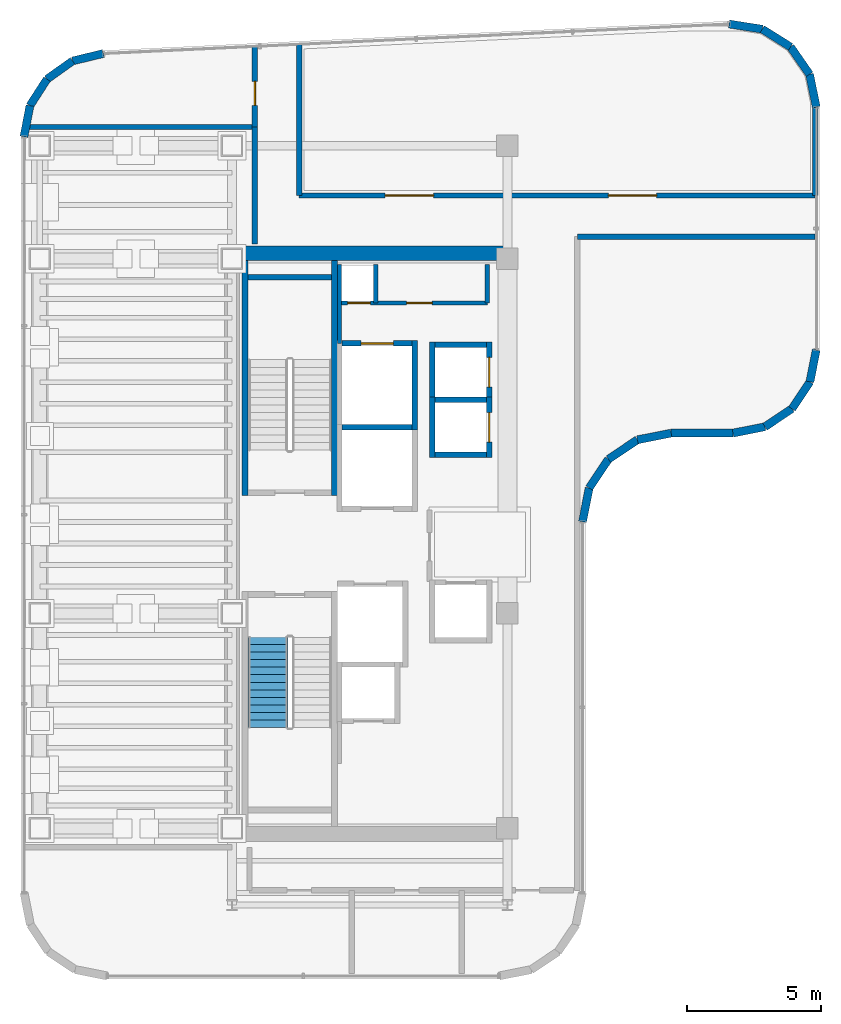
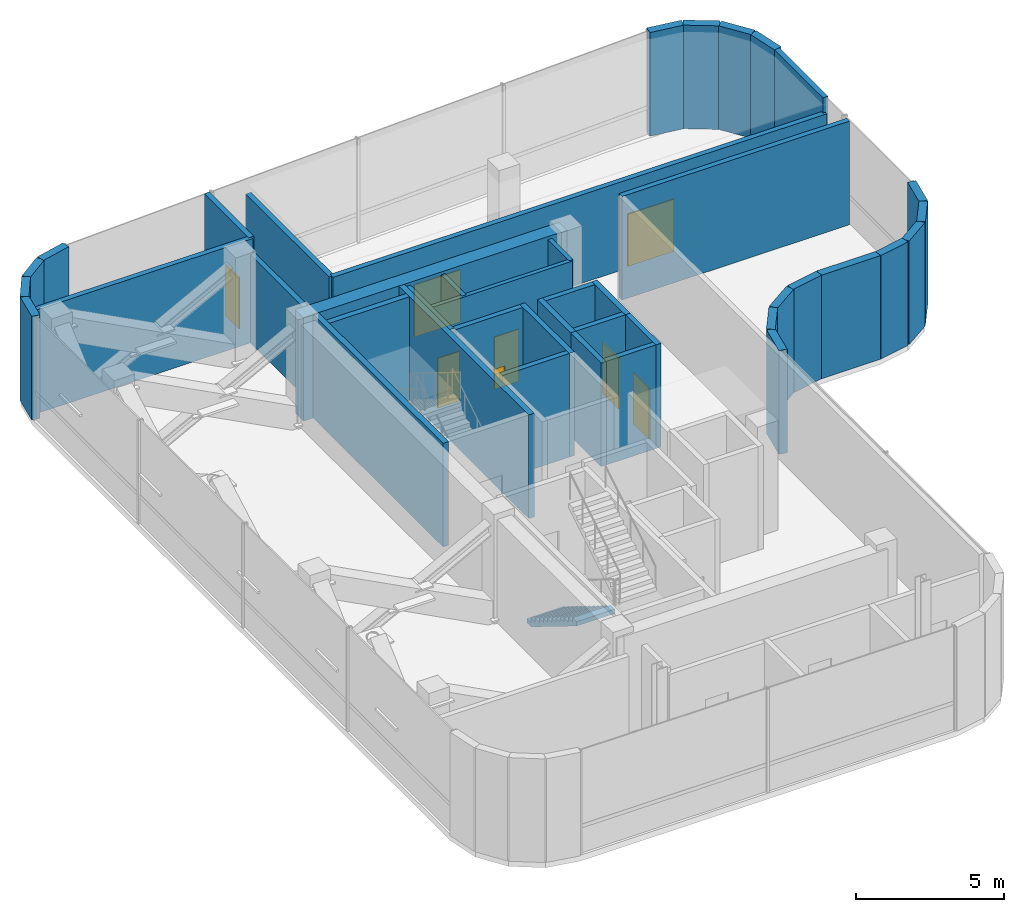
# One storey, part 17 of 19: 42 walls, 8 doors, 1 stair flight, 8 openings, 1 element without a shape of its own.
"""IFC4 building model written with IfcOpenShell, lengths in metres."""

from ifc_helpers import new_model, si_unit, direction, frame, frame_2d, origin, place, context, subcontext, project, spatial, polyline, rectangle, outline, extrude, material, layer, layer_set, type_object, element, fill, aggregate, save


model = new_model("IFC4")

# Units and contexts
model_context = context("Model", 3, precision=1e-05, world=origin(), true_north=direction((0.0, 1.0)))
body_context = subcontext(model_context, "Body", "Model", "MODEL_VIEW")
ifc_project = project(units=[si_unit("LENGTHUNIT", "METRE"), si_unit("AREAUNIT", "SQUARE_METRE"), si_unit("VOLUMEUNIT", "CUBIC_METRE"), si_unit("PLANEANGLEUNIT", "RADIAN"), si_unit("MASSUNIT", "GRAM", prefix="KILO")], contexts=[model_context])

# Site, building, storey
site_placement = place(None, origin())
site = spatial("IfcSite", under=ifc_project, at=site_placement, CompositionType="ELEMENT")
building_placement = place(site_placement, origin())
building = spatial("IfcBuilding", under=site, at=building_placement, Name="Valdorenza Pilgrim Sanctuary Tower", CompositionType="ELEMENT")
storey_placement = place(building_placement, frame((0.0, 0.0, 261.5)))
storey = spatial("IfcBuildingStorey", under=building, at=storey_placement, Name="L68", CompositionType="ELEMENT", Elevation=261.5)

# Wall
ifc_material_1 = material(Name="Acoustic twin-stud gypsum partition", Category="gypsum")
ifc_layer_1 = layer(ifc_material_1, 0.159912109375, Name="Acoustic twin-stud gypsum partition")
ifc_layer_set_1 = layer_set([ifc_layer_1], Name="Acoustic twin-stud gypsum partition")
wall_type_1 = type_object("IfcWallType", Name="WAL-COR-160", PredefinedType="PARTITIONING", material=ifc_layer_set_1)
wall_1_placement = place(storey_placement, frame((-18.64990234375, 7.449951171875, 0.0), z_axis=(0.0, 0.0, 1.0), x_axis=(0.0, 1.0, 0.0)))
element("IfcWall", 1, at=wall_1_placement, inside=storey, type_object=wall_type_1, Name="L68 Core A North Service West Wall", PredefinedType="PARTITIONING", context=body_context, shape_type="SweptSolid", body=[
    extrude(rectangle(XDim=2.929931640625, YDim=0.159912109375, at=frame_2d((1.46484375, 0.0))), origin(), (0.0, 0.0, 1.0), 4.260009765625),
])

# Wall, openings, doors
wall_2_placement = place(storey_placement, frame((-18.64990234375, 8.949951171875, 0.0), z_axis=(0.0, 0.0, 1.0), x_axis=(1.0, 0.0, 0.0)))
wall_2 = element("IfcWall", 2, at=wall_2_placement, inside=storey, type_object=wall_type_1, Name="L68 Core A North Service South Wall", PredefinedType="PARTITIONING", context=body_context, shape_type="SweptSolid", body=[
    extrude(rectangle(XDim=5.5, YDim=0.159912109375, at=frame_2d((2.75, 0.0))), origin(), (0.0, 0.0, 1.0), 4.260009765625),
])
opening_1_placement = place(wall_2_placement, frame((0.300048828125, 0.0, 0.0)))
opening_1 = element("IfcOpeningElement", 3, at=opening_1_placement, cuts=wall_2, Name="Opening DR-RS1", PredefinedType="OPENING", context=body_context, shape_type="SweptSolid", body=[
    extrude(rectangle(XDim=0.85009765625, YDim=2.050048828125, at=frame_2d((0.425048828125, 1.02490234375))), frame((0.0, 0.0947265625, 0.0), z_axis=(0.0, -1.0, 0.0), x_axis=(1.0, 0.0, 0.0)), (0.0, 0.0, 1.0), 0.189697265625),
])
opening_2_placement = place(wall_2_placement, frame((2.5, 0.0, 0.0)))
opening_2 = element("IfcOpeningElement", 4, at=opening_2_placement, cuts=wall_2, Name="Opening DR-UN1", PredefinedType="OPENING", context=body_context, shape_type="SweptSolid", body=[
    extrude(rectangle(XDim=0.949951171875, YDim=2.14990234375, at=frame_2d((0.47509765625, 1.074951171875))), frame((0.0, 0.0947265625, 0.0), z_axis=(0.0, -1.0, 0.0), x_axis=(1.0, 0.0, 0.0)), (0.0, 0.0, 1.0), 0.189697265625),
])
ifc_material_2 = material(Name="Painted galvanized steel", Category="steel")
door_type_1 = type_object("IfcDoorType", Name="DR-RSR-850", OperationType="NOTDEFINED", PredefinedType="DOOR", material=ifc_material_2)
door_1_placement = place(opening_1_placement, origin())
door_1 = element("IfcDoor", 5, at=door_1_placement, inside=storey, type_object=door_type_1, Name="L68 Core Electrical and Telecom Riser Door", OperationType="SINGLE_SWING_LEFT", OverallHeight=2.050048828125, OverallWidth=0.85009765625, PredefinedType="DOOR", context=body_context, shape_type="SweptSolid", body=[
    extrude(rectangle(XDim=0.85009765625, YDim=2.050048828125, at=frame_2d((0.425048828125, 1.02490234375))), frame((0.0, 0.02490234375, 0.0), z_axis=(0.0, -1.0, 0.0), x_axis=(1.0, 0.0, 0.0)), (0.0, 0.0, 1.0), 0.050048828125),
])
fill(opening_1, door_1)
ifc_material_3 = material(Name="Solid-core European oak timber", Category="wood")
door_type_2 = type_object("IfcDoorType", Name="DR-UNIT-950", OperationType="NOTDEFINED", PredefinedType="DOOR", material=ifc_material_3)
door_2_placement = place(opening_2_placement, origin())
door_2 = element("IfcDoor", 6, at=door_2_placement, inside=storey, type_object=door_type_2, Name="L68 Core Janitor and Maintenance Store Door", OperationType="SINGLE_SWING_RIGHT", OverallHeight=2.14990234375, OverallWidth=0.949951171875, PredefinedType="DOOR", context=body_context, shape_type="SweptSolid", body=[
    extrude(rectangle(XDim=0.949951171875, YDim=2.14990234375, at=frame_2d((0.47509765625, 1.074951171875))), frame((0.0, 0.02490234375, 0.0), z_axis=(0.0, -1.0, 0.0), x_axis=(1.0, 0.0, 0.0)), (0.0, 0.0, 1.0), 0.050048828125),
])
fill(opening_2, door_2)

# Walls
for number, where, z_axis, x_axis, name in (
    (7, (-13.14990234375, 8.949951171875, 0.0), (0.0, 0.0, 1.0), (0.0, 1.0, 0.0), "L68 Core A North Service East Wall"),
    (8, (-17.300048828125, 8.949951171875, 0.0), (0.0, 0.0, 1.0), (0.0, 1.0, 0.0), "L68 Core Electrical Riser Wall"),
):
    element("IfcWall", number, at=place(storey_placement, frame(where, z_axis=z_axis, x_axis=x_axis)), inside=storey, type_object=wall_type_1, Name=name, PredefinedType="PARTITIONING", context=body_context, shape_type="SweptSolid", body=[
        extrude(rectangle(XDim=1.429931640625, YDim=0.159912109375, at=frame_2d((0.71484375, 0.0))), origin(), (0.0, 0.0, 1.0), 4.260009765625),
    ])
ifc_material_4 = material(Name="Concrete C50/60", Category="concrete")
ifc_layer_2 = layer(ifc_material_4, 0.550048828125, Name="Concrete C50/60")
ifc_layer_set_2 = layer_set([ifc_layer_2], Name="Concrete C50/60")
wall_type_2 = type_object("IfcWallType", Name="WAL-COR-550", PredefinedType="SHEAR", material=ifc_layer_set_2)
wall_3_placement = place(storey_placement, frame((-22.64990234375, 10.800048828125, 0.0), z_axis=(0.0, 0.0, 1.0), x_axis=(1.0, 0.0, 0.0)))
element("IfcWall", 9, at=wall_3_placement, inside=storey, type_object=wall_type_2, Name="L68 Split Core A Shear Wall N", PredefinedType="SHEAR", context=body_context, shape_type="SweptSolid", body=[
    extrude(rectangle(XDim=10.25, YDim=0.550048828125, at=frame_2d((5.125, 0.0))), origin(), (0.0, 0.0, 1.0), 4.260009765625),
])
ifc_material_5 = material(Name="Honed travertine limestone", Category="masonry")
ifc_layer_3 = layer(ifc_material_5, 0.300048828125, Name="Honed travertine limestone")
ifc_layer_set_3 = layer_set([ifc_layer_3], Name="Honed travertine limestone")
wall_type_3 = type_object("IfcWallType", Name="WAL-EXT-300", PredefinedType="SOLIDWALL", material=ifc_layer_set_3)
wall_4_placement = place(storey_placement, frame((-30.389892578125, 15.13671875, 0.0), z_axis=(0.0, 0.0, 1.0), x_axis=(0.189307792679, 0.981917796779, 0.0)))
element("IfcWall", 10, at=wall_4_placement, inside=storey, type_object=wall_type_3, Name="L68 Rounded Wind-Corner Stone Pier 2", PredefinedType="SOLIDWALL", context=body_context, shape_type="SweptSolid", body=[
    extrude(rectangle(XDim=1.179931640625, YDim=0.300048828125, at=frame_2d((0.58984375, 0.0))), origin(), (0.0, 0.0, 1.0), 4.260009765625),
])
wall_5_placement = place(storey_placement, frame((-30.16650390625, 16.29541015625, 0.0), z_axis=(0.0, 0.0, 1.0), x_axis=(0.540842020947, 0.841124193195, 0.0)))
element("IfcWall", 11, at=wall_5_placement, inside=storey, type_object=wall_type_3, Name="L68 Rounded Wind-Corner Stone Pier 3", PredefinedType="SOLIDWALL", context=body_context, shape_type="SweptSolid", body=[
    extrude(rectangle(XDim=1.169189453125, YDim=0.300048828125, at=frame_2d((0.58447265625, 0.0))), origin(), (0.0, 0.0, 1.0), 4.260009765625),
])
wall_6_placement = place(storey_placement, frame((-29.5341796875, 17.27880859375, 0.0), z_axis=(0.0, 0.0, 1.0), x_axis=(0.81466371606, 0.579933642527, 0.0)))
element("IfcWall", 12, at=wall_6_placement, inside=storey, type_object=wall_type_3, Name="L68 Rounded Wind-Corner Stone Pier 4", PredefinedType="SOLIDWALL", context=body_context, shape_type="SweptSolid", body=[
    extrude(rectangle(XDim=1.1689453125, YDim=0.300048828125, at=frame_2d((0.58447265625, 0.0))), origin(), (0.0, 0.0, 1.0), 4.260009765625),
])
wall_7_placement = place(storey_placement, frame((-28.581787109375, 17.956787109375, 0.0), z_axis=(0.0, 0.0, 1.0), x_axis=(0.971929016595, 0.235274279725, 0.0)))
element("IfcWall", 13, at=wall_7_placement, inside=storey, type_object=wall_type_3, Name="L68 Rounded Wind-Corner Stone Pier 5", PredefinedType="SOLIDWALL", context=body_context, shape_type="SweptSolid", body=[
    extrude(rectangle(XDim=1.179931640625, YDim=0.300048828125, at=frame_2d((0.58984375, 0.0))), origin(), (0.0, 0.0, 1.0), 4.260009765625),
])
wall_8_placement = place(storey_placement, frame((-4.15673828125, 19.331787109375, 0.0), z_axis=(0.0, 0.0, 1.0), x_axis=(0.987969236552, -0.15465053387, 0.0)))
element("IfcWall", 14, at=wall_8_placement, inside=storey, type_object=wall_type_3, Name="L68 Rounded Wind-Corner Stone Pier 7", PredefinedType="SOLIDWALL", context=body_context, shape_type="SweptSolid", body=[
    extrude(rectangle(XDim=1.251953125, YDim=0.300048828125, at=frame_2d((0.6259765625, 0.0))), origin(), (0.0, 0.0, 1.0), 4.260009765625),
])
for number, where, z_axis, x_axis, name in (
    (15, (-2.919921875, 19.13818359375, 0.0), (0.0, 0.0, 1.0), (0.847489288141, -0.530812496543, 0.0), "L68 Rounded Wind-Corner Stone Pier 8"),
    (16, (-1.86865234375, 18.479736328125, 0.0), (0.0, 0.0, 1.0), (0.570181861951, -0.821518499063, 0.0), "L68 Rounded Wind-Corner Stone Pier 9"),
):
    element("IfcWall", number, at=place(storey_placement, frame(where, z_axis=z_axis, x_axis=x_axis)), inside=storey, type_object=wall_type_3, Name=name, PredefinedType="SOLIDWALL", context=body_context, shape_type="SweptSolid", body=[
        extrude(rectangle(XDim=1.240478515625, YDim=0.300048828125, at=frame_2d((0.6201171875, 0.0))), origin(), (0.0, 0.0, 1.0), 4.260009765625),
    ])
wall_9_placement = place(storey_placement, frame((-1.161376953125, 17.460693359375, 0.0), z_axis=(0.0, 0.0, 1.0), x_axis=(0.20087696073, -0.979616479367, 0.0)))
element("IfcWall", 17, at=wall_9_placement, inside=storey, type_object=wall_type_3, Name="L68 Rounded Wind-Corner Stone Pier 10", PredefinedType="SOLIDWALL", context=body_context, shape_type="SweptSolid", body=[
    extrude(rectangle(XDim=1.251953125, YDim=0.300048828125, at=frame_2d((0.6259765625, 0.0))), origin(), (0.0, 0.0, 1.0), 4.260009765625),
])
wall_10_placement = place(storey_placement, frame((-0.909912109375, 7.210693359375, 0.0), z_axis=(0.0, 0.0, 1.0), x_axis=(-0.195189223115, -0.980765602568, 0.0)))
element("IfcWall", 18, at=wall_10_placement, inside=storey, type_object=wall_type_3, Name="L68 Rounded Wind-Corner Stone Pier 12", PredefinedType="SOLIDWALL", context=body_context, shape_type="SweptSolid", body=[
    extrude(rectangle(XDim=1.2158203125, YDim=0.300048828125, at=frame_2d((0.60791015625, 0.0))), origin(), (0.0, 0.0, 1.0), 4.260009765625),
])
for number, where, z_axis, x_axis, name in (
    (19, (-1.147216796875, 6.018310546875, 0.0), (0.0, 0.0, 1.0), (-0.555635100982, -0.831426265255, 0.0), "L68 Rounded Wind-Corner Stone Pier 13"),
    (20, (-1.816650390625, 5.0166015625, 0.0), (0.0, 0.0, 1.0), (-0.831426265255, -0.555635100982, 0.0), "L68 Rounded Wind-Corner Stone Pier 14"),
):
    element("IfcWall", number, at=place(storey_placement, frame(where, z_axis=z_axis, x_axis=x_axis)), inside=storey, type_object=wall_type_3, Name=name, PredefinedType="SOLIDWALL", context=body_context, shape_type="SweptSolid", body=[
        extrude(rectangle(XDim=1.204833984375, YDim=0.300048828125, at=frame_2d((0.6025390625, 0.0))), origin(), (0.0, 0.0, 1.0), 4.260009765625),
    ])
wall_11_placement = place(storey_placement, frame((-2.818359375, 4.34716796875, 0.0), z_axis=(0.0, 0.0, 1.0), x_axis=(-0.980804027463, -0.194996050505, 0.0)))
element("IfcWall", 21, at=wall_11_placement, inside=storey, type_object=wall_type_3, Name="L68 Rounded Wind-Corner Stone Pier 15", PredefinedType="SOLIDWALL", context=body_context, shape_type="SweptSolid", body=[
    extrude(rectangle(XDim=1.2158203125, YDim=0.300048828125, at=frame_2d((0.60791015625, 0.0))), origin(), (0.0, 0.0, 1.0), 4.260009765625),
])
wall_12_placement = place(storey_placement, frame((-4.0107421875, 4.110107421875, 0.0), z_axis=(0.0, 0.0, 1.0), x_axis=(-1.0, 0.0, 0.0)))
element("IfcWall", 22, at=wall_12_placement, inside=storey, type_object=wall_type_3, Name="L68 Rounded Wind-Corner Stone Pier 16", PredefinedType="SOLIDWALL", context=body_context, shape_type="SweptSolid", body=[
    extrude(rectangle(XDim=2.300048828125, YDim=0.300048828125, at=frame_2d((1.14990234375, 0.0))), origin(), (0.0, 0.0, 1.0), 4.260009765625),
])
wall_13_placement = place(storey_placement, frame((-6.310791015625, 4.110107421875, 0.0), z_axis=(0.0, 0.0, 1.0), x_axis=(-0.980778058848, -0.195126623715, 0.0)))
element("IfcWall", 23, at=wall_13_placement, inside=storey, type_object=wall_type_3, Name="L68 Rounded Wind-Corner Stone Pier 17", PredefinedType="SOLIDWALL", context=body_context, shape_type="SweptSolid", body=[
    extrude(rectangle(XDim=1.28125, YDim=0.300048828125, at=frame_2d((0.640625, 0.0))), origin(), (0.0, 0.0, 1.0), 4.260009765625),
])
for number, where, z_axis, x_axis, name in (
    (24, (-7.5673828125, 3.860107421875, 0.0), (0.0, 0.0, 1.0), (-0.831497739511, -0.555528135371, 0.0), "L68 Rounded Wind-Corner Stone Pier 18"),
    (25, (-8.64208984375, 3.14208984375, 0.0), (0.0, 0.0, 1.0), (-0.555528135371, -0.831497739511, 0.0), "L68 Rounded Wind-Corner Stone Pier 19"),
):
    element("IfcWall", number, at=place(storey_placement, frame(where, z_axis=z_axis, x_axis=x_axis)), inside=storey, type_object=wall_type_3, Name=name, PredefinedType="SOLIDWALL", context=body_context, shape_type="SweptSolid", body=[
        extrude(rectangle(XDim=1.29248046875, YDim=0.300048828125, at=frame_2d((0.646240234375, 0.0))), origin(), (0.0, 0.0, 1.0), 4.260009765625),
    ])
wall_14_placement = place(storey_placement, frame((-9.360107421875, 2.0673828125, 0.0), z_axis=(0.0, 0.0, 1.0), x_axis=(-0.195126623715, -0.980778058848, 0.0)))
element("IfcWall", 26, at=wall_14_placement, inside=storey, type_object=wall_type_3, Name="L68 Rounded Wind-Corner Stone Pier 20", PredefinedType="SOLIDWALL", context=body_context, shape_type="SweptSolid", body=[
    extrude(rectangle(XDim=1.28125, YDim=0.300048828125, at=frame_2d((0.640625, 0.0))), origin(), (0.0, 0.0, 1.0), 4.260009765625),
])
ifc_material_6 = material(Name="Gypsum shaftwall partition", Category="gypsum")
ifc_layer_4 = layer(ifc_material_6, 0.199951171875, Name="Gypsum shaftwall partition")
ifc_layer_set_4 = layer_set([ifc_layer_4], Name="Gypsum shaftwall partition")
wall_type_4 = type_object("IfcWallType", Name="WAL-FFL-200", PredefinedType="PARTITIONING", material=ifc_layer_set_4)
wall_15_placement = place(storey_placement, frame((-30.192626953125, 15.5, 0.0), z_axis=(0.0, 0.0, 1.0), x_axis=(1.0, 0.0, 0.0)))
element("IfcWall", 27, at=wall_15_placement, inside=storey, type_object=wall_type_4, Name="L68 L68 Outrigger Bay North Wall", PredefinedType="PARTITIONING", context=body_context, shape_type="SweptSolid", body=[
    extrude(rectangle(XDim=8.392578125, YDim=0.199951171875, at=frame_2d((4.1962890625, 0.0))), origin(), (0.0, 0.0, 1.0), 4.260009765625),
])
wall_16_placement = place(storey_placement, frame((-21.800048828125, 11.14990234375, 0.0), z_axis=(0.0, 0.0, 1.0), x_axis=(0.0, 1.0, 0.0)))
element("IfcWall", 28, at=wall_16_placement, inside=storey, type_object=wall_type_4, Name="L68 L68 Outrigger Bay NE Wall", PredefinedType="PARTITIONING", context=body_context, shape_type="SweptSolid", body=[
    extrude(rectangle(XDim=4.35009765625, YDim=0.199951171875, at=frame_2d((2.175048828125, 0.0))), origin(), (0.0, 0.0, 1.0), 3.623046875),
])

# Wall, opening, door
wall_17_placement = place(storey_placement, frame((-21.800048828125, 15.5, 0.0), z_axis=(0.0, 0.0, 1.0), x_axis=(0.0, 1.0, 0.0)))
wall_17 = element("IfcWall", 29, at=wall_17_placement, inside=storey, type_object=wall_type_4, Name="L68 L68 NW Plant East Wall", PredefinedType="PARTITIONING", context=body_context, shape_type="SweptSolid", body=[
    extrude(rectangle(XDim=3.0, YDim=0.199951171875, at=frame_2d((1.5, 0.0))), origin(), (0.0, 0.0, 1.0), 4.260009765625),
])
opening_3_placement = place(wall_17_placement, frame((0.800048828125, 0.0, 0.0)))
opening_3 = element("IfcOpeningElement", 30, at=opening_3_placement, cuts=wall_17, Name="Opening DR-RM1", PredefinedType="OPENING", context=body_context, shape_type="SweptSolid", body=[
    extrude(rectangle(XDim=0.89990234375, YDim=2.10009765625, at=frame_2d((0.449951171875, 1.050048828125))), frame((0.0, 0.11474609375, 0.0), z_axis=(0.0, -1.0, 0.0), x_axis=(1.0, 0.0, 0.0)), (0.0, 0.0, 1.0), 0.229736328125),
])
door_type_3 = type_object("IfcDoorType", Name="DR-ROOM-900", OperationType="NOTDEFINED", PredefinedType="DOOR", material=ifc_material_3)
door_3_placement = place(opening_3_placement, origin())
door_3 = element("IfcDoor", 31, at=door_3_placement, inside=storey, type_object=door_type_3, Name="L68 L68 Stair Pressurisation Fan Plant Room Door", OperationType="SINGLE_SWING_LEFT", OverallHeight=2.10009765625, OverallWidth=0.89990234375, PredefinedType="DOOR", context=body_context, shape_type="SweptSolid", body=[
    extrude(rectangle(XDim=0.89990234375, YDim=2.10009765625, at=frame_2d((0.449951171875, 1.050048828125))), frame((0.0, 0.02490234375, 0.0), z_axis=(0.0, -1.0, 0.0), x_axis=(1.0, 0.0, 0.0)), (0.0, 0.0, 1.0), 0.050048828125),
])
fill(opening_3, door_3)

# Wall, openings, doors
wall_18_placement = place(storey_placement, frame((-20.14990234375, 12.949951171875, 0.0), z_axis=(0.0, 0.0, 1.0), x_axis=(1.0, 0.0, 0.0)))
wall_18 = element("IfcWall", 32, at=wall_18_placement, inside=storey, type_object=wall_type_4, Name="L68 Primary Refuge South Wall", PredefinedType="PARTITIONING", context=body_context, shape_type="SweptSolid", body=[
    extrude(rectangle(XDim=19.199951171875, YDim=0.199951171875, at=frame_2d((9.60009765625, 0.0))), origin(), (0.0, 0.0, 1.0), 3.634033203125),
])
opening_4_placement = place(wall_18_placement, frame((3.199951171875, 0.0, 0.0)))
opening_4 = element("IfcOpeningElement", 33, at=opening_4_placement, cuts=wall_18, Name="Opening DR-HL1", PredefinedType="OPENING", context=body_context, shape_type="SweptSolid", body=[
    extrude(rectangle(XDim=1.800048828125, YDim=2.14990234375, at=frame_2d((0.89990234375, 1.074951171875))), frame((0.0, 0.11474609375, 0.0), z_axis=(0.0, -1.0, 0.0), x_axis=(1.0, 0.0, 0.0)), (0.0, 0.0, 1.0), 0.229736328125),
])
opening_5_placement = place(wall_18_placement, frame((11.5, 0.0, 0.0)))
opening_5 = element("IfcOpeningElement", 34, at=opening_5_placement, cuts=wall_18, Name="Opening DR-HL1", PredefinedType="OPENING", context=body_context, shape_type="SweptSolid", body=[
    extrude(rectangle(XDim=1.800048828125, YDim=2.14990234375, at=frame_2d((0.89990234375, 1.074951171875))), frame((0.0, 0.11474609375, 0.0), z_axis=(0.0, -1.0, 0.0), x_axis=(1.0, 0.0, 0.0)), (0.0, 0.0, 1.0), 0.229736328125),
])
ifc_material_7 = material(Name="Acoustic oak and vision-glass double door", Category="glass")
door_type_4 = type_object("IfcDoorType", Name="DR-HALL-1800", OperationType="NOTDEFINED", PredefinedType="DOOR", material=ifc_material_7)
door_4_placement = place(opening_4_placement, origin())
door_4 = element("IfcDoor", 35, at=door_4_placement, inside=storey, type_object=door_type_4, Name="L68 Primary Smokeproof Refuge Area West Double Door", OperationType="DOUBLE_DOOR_SINGLE_SWING", OverallHeight=2.14990234375, OverallWidth=1.800048828125, PredefinedType="DOOR", context=body_context, shape_type="SweptSolid", body=[
    extrude(rectangle(XDim=1.800048828125, YDim=2.14990234375, at=frame_2d((0.89990234375, 1.074951171875))), frame((0.0, 0.02490234375, 0.0), z_axis=(0.0, -1.0, 0.0), x_axis=(1.0, 0.0, 0.0)), (0.0, 0.0, 1.0), 0.050048828125),
])
fill(opening_4, door_4)
door_5_placement = place(opening_5_placement, frame((1.800048828125, 0.0, 0.0), z_axis=(0.0, 0.0, 1.0), x_axis=(-1.0, 0.0, 0.0)))
door_5 = element("IfcDoor", 36, at=door_5_placement, inside=storey, type_object=door_type_4, Name="L68 Primary Smokeproof Refuge Area East Double Door", OperationType="DOUBLE_DOOR_SINGLE_SWING", OverallHeight=2.14990234375, OverallWidth=1.800048828125, PredefinedType="DOOR", context=body_context, shape_type="SweptSolid", body=[
    extrude(rectangle(XDim=1.800048828125, YDim=2.14990234375, at=frame_2d((0.89990234375, 1.074951171875))), frame((0.0, 0.02490234375, 0.0), z_axis=(0.0, -1.0, 0.0), x_axis=(1.0, 0.0, 0.0)), (0.0, 0.0, 1.0), 0.050048828125),
])
fill(opening_5, door_5)

# Walls
wall_19_placement = place(storey_placement, frame((-20.14990234375, 12.949951171875, 0.0), z_axis=(0.0, 0.0, 1.0), x_axis=(0.0, 1.0, 0.0)))
element("IfcWall", 37, at=wall_19_placement, inside=storey, type_object=wall_type_4, Name="L68 Primary Refuge West Wall", PredefinedType="PARTITIONING", context=body_context, shape_type="SweptSolid", body=[
    extrude(rectangle(XDim=5.627685546875, YDim=0.199951171875, at=frame_2d((2.81396484375, 0.0))), origin(), (0.0, 0.0, 1.0), 3.623046875),
])
wall_20_placement = place(storey_placement, frame((-0.949951171875, 12.949951171875, 0.0), z_axis=(0.0, 0.0, 1.0), x_axis=(0.0, 1.0, 0.0)))
element("IfcWall", 38, at=wall_20_placement, inside=storey, type_object=wall_type_4, Name="L68 Primary Refuge East Wall", PredefinedType="PARTITIONING", context=body_context, shape_type="SweptSolid", body=[
    extrude(rectangle(XDim=3.2763671875, YDim=0.199951171875, at=frame_2d((1.63818359375, 0.0))), origin(), (0.0, 0.0, 1.0), 4.260009765625),
])
wall_21_placement = place(storey_placement, frame((-9.800048828125, 11.419921875, 0.0), z_axis=(0.0, 0.0, 1.0), x_axis=(1.0, 0.0, 0.0)))
element("IfcWall", 39, at=wall_21_placement, inside=storey, type_object=wall_type_4, Name="L68 L68 North Corridor South Wall", PredefinedType="PARTITIONING", context=body_context, shape_type="SweptSolid", body=[
    extrude(rectangle(XDim=8.85009765625, YDim=0.199951171875, at=frame_2d((4.425048828125, 0.0))), origin(), (0.0, 0.0, 1.0), 4.260009765625),
])
ifc_material_8 = material(Name="Autoclaved aerated concrete blockwork", Category="masonry")
ifc_layer_5 = layer(ifc_material_8, 0.199951171875, Name="Autoclaved aerated concrete blockwork")
ifc_layer_set_5 = layer_set([ifc_layer_5], Name="Autoclaved aerated concrete blockwork")
wall_type_5 = type_object("IfcWallType", Name="WAL-SHF-200", PredefinedType="MOVABLE", material=ifc_layer_set_5)
wall_22_placement = place(storey_placement, frame((-18.550048828125, 4.324951171875, 0.0), z_axis=(0.0, 0.0, 1.0), x_axis=(1.0, 0.0, 0.0)))
element("IfcWall", 40, at=wall_22_placement, inside=storey, type_object=wall_type_5, Name="L68 Lift FFL-01 Hoistway Wall North", PredefinedType="MOVABLE", context=body_context, shape_type="SweptSolid", body=[
    extrude(rectangle(XDim=2.60009765625, YDim=0.199951171875, at=frame_2d((1.300048828125, 0.0))), origin(), (0.0, 0.0, 1.0), 4.260009765625),
])
wall_23_placement = place(storey_placement, frame((-15.85009765625, 4.22509765625, 0.0), z_axis=(0.0, 0.0, 1.0), x_axis=(0.0, 1.0, 0.0)))
element("IfcWall", 41, at=wall_23_placement, inside=storey, type_object=wall_type_5, Name="L68 Lift SVL-01 Hoistway Wall East", PredefinedType="MOVABLE", context=body_context, shape_type="SweptSolid", body=[
    extrude(rectangle(XDim=3.324951171875, YDim=0.199951171875, at=frame_2d((1.66259765625, 0.0))), origin(), (0.0, 0.0, 1.0), 4.260009765625),
])

# Wall, opening, door
wall_24_placement = place(storey_placement, frame((-18.550048828125, 7.449951171875, 0.0), z_axis=(0.0, 0.0, 1.0), x_axis=(1.0, 0.0, 0.0)))
wall_24 = element("IfcWall", 42, at=wall_24_placement, inside=storey, type_object=wall_type_5, Name="L68 Lift SVL-01 Hoistway Wall North", PredefinedType="MOVABLE", context=body_context, shape_type="SweptSolid", body=[
    extrude(rectangle(XDim=2.60009765625, YDim=0.199951171875, at=frame_2d((1.300048828125, 0.0))), origin(), (0.0, 0.0, 1.0), 4.260009765625),
])
opening_6_placement = place(wall_24_placement, frame((0.699951171875, 0.0, 0.0)))
opening_6 = element("IfcOpeningElement", 43, at=opening_6_placement, cuts=wall_24, Name="Opening LD-02", PredefinedType="OPENING", context=body_context, shape_type="SweptSolid", body=[
    extrude(rectangle(XDim=1.199951171875, YDim=2.10009765625, at=frame_2d((0.60009765625, 1.050048828125))), frame((0.0, 0.11474609375, 0.0), z_axis=(0.0, -1.0, 0.0), x_axis=(1.0, 0.0, 0.0)), (0.0, 0.0, 1.0), 0.229736328125),
])
ifc_material_9 = material(Name="Brushed stainless steel Grade 316", Category="steel")
door_type_5 = type_object("IfcDoorType", Name="DR-LFT-1200", OperationType="DOUBLE_DOOR_SLIDING", PredefinedType="DOOR", material=ifc_material_9)
door_6_placement = place(opening_6_placement, origin())
door_6 = element("IfcDoor", 44, at=door_6_placement, inside=storey, type_object=door_type_5, Name="L68 Lift SVL-01 Sliding Landing Door", OperationType="DOUBLE_DOOR_SLIDING", OverallHeight=2.10009765625, OverallWidth=1.199951171875, PredefinedType="DOOR", context=body_context, shape_type="SweptSolid", body=[
    extrude(rectangle(XDim=1.199951171875, YDim=2.10009765625, at=frame_2d((0.60009765625, 1.050048828125))), frame((0.0, 0.02490234375, 0.0), z_axis=(0.0, -1.0, 0.0), x_axis=(1.0, 0.0, 0.0)), (0.0, 0.0, 1.0), 0.050048828125),
])
fill(opening_6, door_6)

# Wall
wall_25_placement = place(storey_placement, frame((-15.199951171875, 3.199951171875, 0.0), z_axis=(0.0, 0.0, 1.0), x_axis=(0.0, 1.0, 0.0)))
element("IfcWall", 45, at=wall_25_placement, inside=storey, type_object=wall_type_5, Name="L68 Lift PL-09 Hoistway Wall West", PredefinedType="MOVABLE", context=body_context, shape_type="SweptSolid", body=[
    extrude(rectangle(XDim=2.25, YDim=0.199951171875, at=frame_2d((1.125, 0.0))), origin(), (0.0, 0.0, 1.0), 4.260009765625),
])

# Wall, opening, door
wall_26_placement = place(storey_placement, frame((-13.080078125, 3.199951171875, 0.0), z_axis=(0.0, 0.0, 1.0), x_axis=(0.0, 1.0, 0.0)))
wall_26 = element("IfcWall", 46, at=wall_26_placement, inside=storey, type_object=wall_type_5, Name="L68 Lift PL-09 Hoistway Wall East", PredefinedType="MOVABLE", context=body_context, shape_type="SweptSolid", body=[
    extrude(rectangle(XDim=2.25, YDim=0.199951171875, at=frame_2d((1.125, 0.0))), origin(), (0.0, 0.0, 1.0), 4.260009765625),
])
opening_7_placement = place(wall_26_placement, frame((0.574951171875, 0.0, 0.0)))
opening_7 = element("IfcOpeningElement", 47, at=opening_7_placement, cuts=wall_26, Name="Opening LD-01", PredefinedType="OPENING", context=body_context, shape_type="SweptSolid", body=[
    extrude(rectangle(XDim=1.10009765625, YDim=2.10009765625, at=frame_2d((0.550048828125, 1.050048828125))), frame((0.0, 0.11474609375, 0.0), z_axis=(0.0, -1.0, 0.0), x_axis=(1.0, 0.0, 0.0)), (0.0, 0.0, 1.0), 0.229736328125),
])
door_type_6 = type_object("IfcDoorType", Name="DR-LFT-1100", OperationType="DOUBLE_DOOR_SLIDING", PredefinedType="DOOR", material=ifc_material_9)
door_7_placement = place(opening_7_placement, origin())
door_7 = element("IfcDoor", 48, at=door_7_placement, inside=storey, type_object=door_type_6, Name="L68 Lift PL-09 Sliding Landing Door", OperationType="DOUBLE_DOOR_SLIDING", OverallHeight=2.10009765625, OverallWidth=1.10009765625, PredefinedType="DOOR", context=body_context, shape_type="SweptSolid", body=[
    extrude(rectangle(XDim=1.10009765625, YDim=2.10009765625, at=frame_2d((0.550048828125, 1.050048828125))), frame((0.0, 0.02490234375, 0.0), z_axis=(0.0, -1.0, 0.0), x_axis=(1.0, 0.0, 0.0)), (0.0, 0.0, 1.0), 0.050048828125),
])
fill(opening_7, door_7)

# Walls
for number, where, z_axis, x_axis, name in (
    (49, (-15.10009765625, 3.300048828125, 0.0), (0.0, 0.0, 1.0), (1.0, 0.0, 0.0), "L68 Lift PL-09 Hoistway Wall South"),
    (50, (-15.10009765625, 5.35009765625, 0.0), (0.0, 0.0, 1.0), (1.0, 0.0, 0.0), "L68 Lift PL-09 Hoistway Wall North"),
):
    element("IfcWall", number, at=place(storey_placement, frame(where, z_axis=z_axis, x_axis=x_axis)), inside=storey, type_object=wall_type_5, Name=name, PredefinedType="MOVABLE", context=body_context, shape_type="SweptSolid", body=[
        extrude(rectangle(XDim=1.920166015625, YDim=0.199951171875, at=frame_2d((0.9599609375, 0.0))), origin(), (0.0, 0.0, 1.0), 4.260009765625),
    ])
wall_27_placement = place(storey_placement, frame((-15.199951171875, 5.25, 0.0), z_axis=(0.0, 0.0, 1.0), x_axis=(0.0, 1.0, 0.0)))
element("IfcWall", 51, at=wall_27_placement, inside=storey, type_object=wall_type_5, Name="L68 Lift PL-10 Hoistway Wall West", PredefinedType="MOVABLE", context=body_context, shape_type="SweptSolid", body=[
    extrude(rectangle(XDim=2.25, YDim=0.199951171875, at=frame_2d((1.125, 0.0))), origin(), (0.0, 0.0, 1.0), 4.260009765625),
])

# Wall, opening, door
wall_28_placement = place(storey_placement, frame((-13.080078125, 5.25, 0.0), z_axis=(0.0, 0.0, 1.0), x_axis=(0.0, 1.0, 0.0)))
wall_28 = element("IfcWall", 52, at=wall_28_placement, inside=storey, type_object=wall_type_5, Name="L68 Lift PL-10 Hoistway Wall East", PredefinedType="MOVABLE", context=body_context, shape_type="SweptSolid", body=[
    extrude(rectangle(XDim=2.25, YDim=0.199951171875, at=frame_2d((1.125, 0.0))), origin(), (0.0, 0.0, 1.0), 4.260009765625),
])
opening_8_placement = place(wall_28_placement, frame((0.574951171875, 0.0, 0.0)))
opening_8 = element("IfcOpeningElement", 53, at=opening_8_placement, cuts=wall_28, Name="Opening LD-01", PredefinedType="OPENING", context=body_context, shape_type="SweptSolid", body=[
    extrude(rectangle(XDim=1.10009765625, YDim=2.10009765625, at=frame_2d((0.550048828125, 1.050048828125))), frame((0.0, 0.11474609375, 0.0), z_axis=(0.0, -1.0, 0.0), x_axis=(1.0, 0.0, 0.0)), (0.0, 0.0, 1.0), 0.229736328125),
])
door_8_placement = place(opening_8_placement, origin())
door_8 = element("IfcDoor", 54, at=door_8_placement, inside=storey, type_object=door_type_6, Name="L68 Lift PL-10 Sliding Landing Door", OperationType="DOUBLE_DOOR_SLIDING", OverallHeight=2.10009765625, OverallWidth=1.10009765625, PredefinedType="DOOR", context=body_context, shape_type="SweptSolid", body=[
    extrude(rectangle(XDim=1.10009765625, YDim=2.10009765625, at=frame_2d((0.550048828125, 1.050048828125))), frame((0.0, 0.02490234375, 0.0), z_axis=(0.0, -1.0, 0.0), x_axis=(1.0, 0.0, 0.0)), (0.0, 0.0, 1.0), 0.050048828125),
])
fill(opening_8, door_8)

# Walls
wall_29_placement = place(storey_placement, frame((-15.10009765625, 7.39990234375, 0.0), z_axis=(0.0, 0.0, 1.0), x_axis=(1.0, 0.0, 0.0)))
element("IfcWall", 55, at=wall_29_placement, inside=storey, type_object=wall_type_5, Name="L68 Lift PL-10 Hoistway Wall North", PredefinedType="MOVABLE", context=body_context, shape_type="SweptSolid", body=[
    extrude(rectangle(XDim=1.920166015625, YDim=0.199951171875, at=frame_2d((0.9599609375, 0.0))), origin(), (0.0, 0.0, 1.0), 4.260009765625),
])
ifc_material_10 = material(Name="Concrete C40/50", Category="concrete")
ifc_layer_6 = layer(ifc_material_10, 0.219970703125, Name="Concrete C40/50")
ifc_layer_set_6 = layer_set([ifc_layer_6], Name="Concrete C40/50")
wall_type_6 = type_object("IfcWallType", Name="WAL-STR-SHF-220", PredefinedType="SHEAR", material=ifc_layer_set_6)
for number, where, z_axis, x_axis, name in (
    (56, (-22.159912109375, 1.780029296875, 0.0), (0.0, 0.0, 1.0), (0.0, 1.0, 0.0), "L68 ST-A1 Structural Stairwell Wall W"),
    (57, (-18.830078125, 1.780029296875, 0.0), (0.0, 0.0, 1.0), (0.0, 1.0, 0.0), "L68 ST-A1 Structural Stairwell Wall E"),
):
    element("IfcWall", number, at=place(storey_placement, frame(where, z_axis=z_axis, x_axis=x_axis)), inside=storey, type_object=wall_type_6, Name=name, PredefinedType="SHEAR", context=body_context, shape_type="SweptSolid", body=[
        extrude(rectangle(XDim=8.744873046875, YDim=0.219970703125, at=frame_2d((4.37255859375, 0.0))), origin(), (0.0, 0.0, 1.0), 4.260009765625),
    ])
wall_30_placement = place(storey_placement, frame((-22.050048828125, 9.909912109375, 0.0), z_axis=(0.0, 0.0, 1.0), x_axis=(1.0, 0.0, 0.0)))
element("IfcWall", 58, at=wall_30_placement, inside=storey, type_object=wall_type_6, Name="L68 ST-A1 Structural Stairwell Wall N", PredefinedType="SHEAR", context=body_context, shape_type="SweptSolid", body=[
    extrude(rectangle(XDim=3.110107421875, YDim=0.219970703125, at=frame_2d((1.55517578125, 0.0))), origin(), (0.0, 0.0, 1.0), 4.260009765625),
])

# Stair, stair flight
stair_type = type_object("IfcStairType", Name="STR-DOG-CORE", PredefinedType="HALF_TURN_STAIR", material=ifc_material_10)
stair_placement = place(storey_placement, origin())
stair = element("IfcStair", 59, at=stair_placement, inside=storey, type_object=stair_type, Name="L68 ST-A2", PredefinedType="HALF_TURN_STAIR")
stair_flight_type = type_object("IfcStairFlightType", Name="STF-RC-1400", PredefinedType="STRAIGHT", material=ifc_material_10)
stair_flight_placement = place(storey_placement, frame((-21.31005859375, -3.47998046875, 0.0), z_axis=(0.0, 0.0, 1.0), x_axis=(0.0, -1.0, 0.0)))
stair_flight = element("IfcStairFlight", 60, at=stair_flight_placement, type_object=stair_flight_type, Name="ST-A2 flight 1", NumberOfRisers=13, NumberOfTreads=12, PredefinedType="STRAIGHT", RiserHeight=0.173076923, TreadLength=0.28, context=body_context, shape_type="SweptSolid", body=[
    extrude(outline(polyline([(0.0, 0.0), (0.0, 0.173095703125), (0.280029296875, 0.173095703125), (0.280029296875, 0.34619140625), (0.56005859375, 0.34619140625), (0.56005859375, 0.519287109375), (0.840087890625, 0.519287109375), (0.840087890625, 0.6923828125), (1.1201171875, 0.6923828125), (1.1201171875, 0.865478515625), (1.39990234375, 0.865478515625), (1.39990234375, 1.03857421875), (1.679931640625, 1.03857421875), (1.679931640625, 1.21142578125), (1.9599609375, 1.21142578125), (1.9599609375, 1.384521484375), (2.239990234375, 1.384521484375), (2.239990234375, 1.5576171875), (2.52001953125, 1.5576171875), (2.52001953125, 1.730712890625), (2.800048828125, 1.730712890625), (2.800048828125, 1.90380859375), (3.080078125, 1.90380859375), (3.080078125, 2.076904296875), (3.360107421875, 2.076904296875), (3.360107421875, 2.25), (3.360107421875, 1.900634765625), (0.28515625, 0.0), (0.0, 0.0)])), frame((0.0, 0.739990234375, 0.0), z_axis=(0.0, -1.0, 0.0), x_axis=(1.0, 0.0, 0.0)), (0.0, 0.0, 1.0), 1.47998046875),
])
aggregate(stair, [stair_flight])

save(model, "model.ifc")
